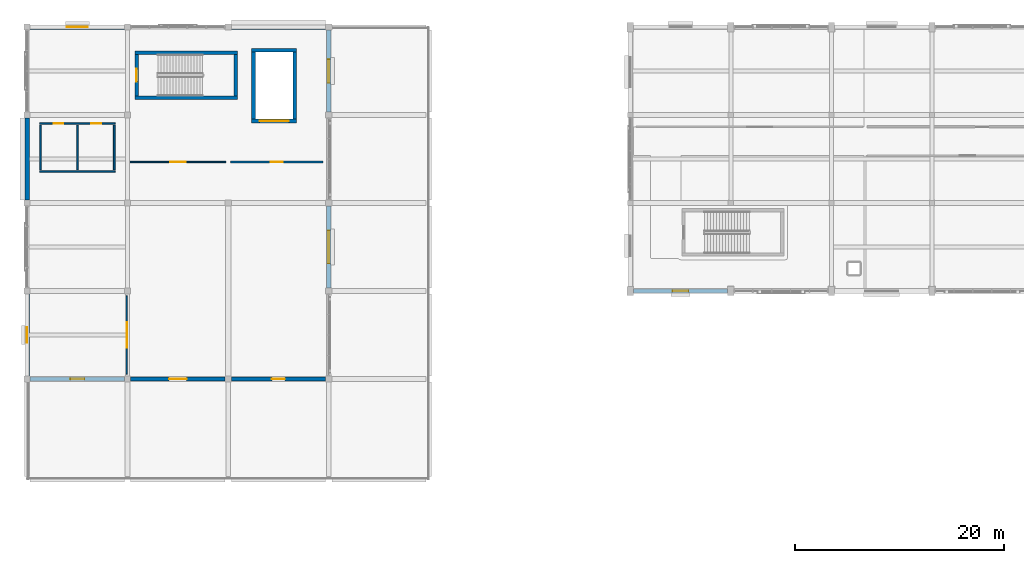
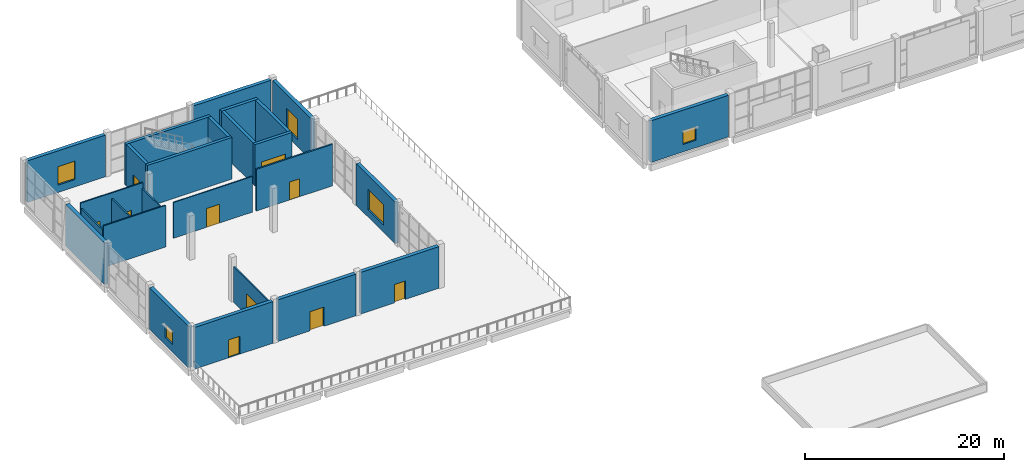
# One storey, part 47 of 72: 26 walls, 10 doors, 5 windows, 15 openings.
"""IFC4 building model written with IfcOpenShell, lengths in metres."""

from ifc_helpers import new_model, si_unit, direction, frame, frame_2d, origin, place, context, subcontext, project, spatial, rectangle, extrude, material, layer, layer_set, type_object, element, fill, save


model = new_model("IFC4")

# Units and contexts
model_context = context("Model", 3, precision=1e-05, world=origin(), true_north=direction((0.0, 1.0)))
body_context = subcontext(model_context, "Body", "Model", "MODEL_VIEW")
ifc_project = project(units=[si_unit("LENGTHUNIT", "METRE"), si_unit("AREAUNIT", "SQUARE_METRE"), si_unit("VOLUMEUNIT", "CUBIC_METRE"), si_unit("PLANEANGLEUNIT", "RADIAN"), si_unit("MASSUNIT", "GRAM", prefix="KILO")], contexts=[model_context])

# Site, building, storey
site_placement = place(None, origin())
site = spatial("IfcSite", under=ifc_project, at=site_placement, CompositionType="ELEMENT")
building_placement = place(site_placement, origin())
building = spatial("IfcBuilding", under=site, at=building_placement, Name="Shalvenor Court Art Gallery", CompositionType="ELEMENT")
storey_placement = place(building_placement, frame((0.0, 0.0, 11.39990234375)))
storey = spatial("IfcBuildingStorey", under=building, at=storey_placement, Name="L02", CompositionType="ELEMENT", Elevation=11.39990234375)

# Walls
ifc_material_1 = material(Name="Concrete C40/50", Category="concrete")
ifc_layer_1 = layer(ifc_material_1, 0.35009765625, Name="Concrete C40/50")
ifc_layer_set_1 = layer_set([ifc_layer_1], Name="Concrete C40/50")
wall_type_1 = type_object("IfcWallType", Name="CW-W1", PredefinedType="SHEAR", material=ifc_layer_set_1)
wall_1_placement = place(storey_placement, frame((10.2880859375, 119.93701171875, 0.0), z_axis=(0.0, 0.0, 1.0), x_axis=(1.0, 0.0, 0.0)))
element("IfcWall", 1, at=wall_1_placement, inside=storey, type_object=wall_type_1, Name="L02 C6 Stair Core Shear Wall N", PredefinedType="SHEAR", context=body_context, shape_type="SweptSolid", body=[
    extrude(rectangle(XDim=9.823974609375, YDim=0.35009765625, at=frame_2d((4.912109375, 0.0))), origin(), (0.0, 0.0, 1.0), 5.10009765625),
])
wall_2_placement = place(storey_placement, frame((19.93701171875, 119.761962890625, 0.0), z_axis=(0.0, 0.0, 1.0), x_axis=(0.0, -1.0, 0.0)))
element("IfcWall", 2, at=wall_2_placement, inside=storey, type_object=wall_type_1, Name="L02 C6 Stair Core Shear Wall E", PredefinedType="SHEAR", context=body_context, shape_type="SweptSolid", body=[
    extrude(rectangle(XDim=3.924072265625, YDim=0.35009765625, at=frame_2d((1.9619140625, 0.0))), origin(), (0.0, 0.0, 1.0), 5.10009765625),
])
wall_3_placement = place(storey_placement, frame((20.112060546875, 115.6630859375, 0.0), z_axis=(0.0, 0.0, 1.0), x_axis=(-1.0, 0.0, 0.0)))
element("IfcWall", 3, at=wall_3_placement, inside=storey, type_object=wall_type_1, Name="L02 C6 Stair Core Shear Wall S", PredefinedType="SHEAR", context=body_context, shape_type="SweptSolid", body=[
    extrude(rectangle(XDim=9.823974609375, YDim=0.35009765625, at=frame_2d((4.912109375, 0.0))), origin(), (0.0, 0.0, 1.0), 5.10009765625),
])

# Wall, opening, door
wall_4_placement = place(storey_placement, frame((10.462890625, 115.837890625, 0.0), z_axis=(0.0, 0.0, 1.0), x_axis=(0.0, 1.0, 0.0)))
wall_4 = element("IfcWall", 4, at=wall_4_placement, inside=storey, type_object=wall_type_1, Name="L02 C6 Stair Core Shear Wall W", PredefinedType="SHEAR", context=body_context, shape_type="SweptSolid", body=[
    extrude(rectangle(XDim=3.924072265625, YDim=0.35009765625, at=frame_2d((1.9619140625, 0.0))), origin(), (0.0, 0.0, 1.0), 5.10009765625),
])
opening_1_placement = place(wall_4_placement, frame((1.362060546875, 0.0, 0.0)))
opening_1 = element("IfcOpeningElement", 5, at=opening_1_placement, cuts=wall_4, Name="Opening FD-01", PredefinedType="OPENING", context=body_context, shape_type="SweptSolid", body=[
    extrude(rectangle(XDim=1.199951171875, YDim=2.199951171875, at=frame_2d((0.60009765625, 1.10009765625))), frame((0.0, 0.18505859375, 0.0), z_axis=(0.0, -1.0, 0.0), x_axis=(1.0, 0.0, 0.0)), (0.0, 0.0, 1.0), 0.3701171875),
])
ifc_material_2 = material(Name="Fire-rated steel stair doorset", Category="steel")
door_type_1 = type_object("IfcDoorType", Name="FD-01", OperationType="NOTDEFINED", PredefinedType="DOOR", material=ifc_material_2)
door_1_placement = place(opening_1_placement, origin())
door_1 = element("IfcDoor", 6, at=door_1_placement, inside=storey, type_object=door_type_1, Name="DR-ST-L02-C6 L02 ST-06 Fire Stair Door", OperationType="SINGLE_SWING_RIGHT", OverallHeight=2.199951171875, OverallWidth=1.199951171875, PredefinedType="DOOR", context=body_context, shape_type="SweptSolid", body=[
    extrude(rectangle(XDim=1.199951171875, YDim=2.199951171875, at=frame_2d((0.60009765625, 1.10009765625))), frame((0.0, 0.02490234375, 0.0), z_axis=(0.0, -1.0, 0.0), x_axis=(1.0, 0.0, 0.0)), (0.0, 0.0, 1.0), 0.050048828125),
])
fill(opening_1, door_1)

# Walls
wall_5_placement = place(storey_placement, frame((21.449951171875, 120.175048828125, 0.0), z_axis=(0.0, 0.0, 1.0), x_axis=(1.0, 0.0, 0.0)))
element("IfcWall", 7, at=wall_5_placement, inside=storey, type_object=wall_type_1, Name="L02 GL-01 Lift Shaft Wall N", PredefinedType="SHEAR", context=body_context, shape_type="SweptSolid", body=[
    extrude(rectangle(XDim=4.300048828125, YDim=0.35009765625, at=frame_2d((2.14990234375, 0.0))), origin(), (0.0, 0.0, 1.0), 5.10009765625),
])
wall_6_placement = place(storey_placement, frame((25.574951171875, 120.0, 0.0), z_axis=(0.0, 0.0, 1.0), x_axis=(0.0, -1.0, 0.0)))
element("IfcWall", 8, at=wall_6_placement, inside=storey, type_object=wall_type_1, Name="L02 GL-01 Lift Shaft Wall E", PredefinedType="SHEAR", context=body_context, shape_type="SweptSolid", body=[
    extrude(rectangle(XDim=6.39990234375, YDim=0.35009765625, at=frame_2d((3.199951171875, 0.0))), origin(), (0.0, 0.0, 1.0), 5.10009765625),
])

# Wall, opening, door
wall_7_placement = place(storey_placement, frame((25.75, 113.425048828125, 0.0), z_axis=(0.0, 0.0, 1.0), x_axis=(-1.0, 0.0, 0.0)))
wall_7 = element("IfcWall", 9, at=wall_7_placement, inside=storey, type_object=wall_type_1, Name="L02 GL-01 Lift Shaft Wall S", PredefinedType="SHEAR", context=body_context, shape_type="SweptSolid", body=[
    extrude(rectangle(XDim=4.300048828125, YDim=0.35009765625, at=frame_2d((2.14990234375, 0.0))), origin(), (0.0, 0.0, 1.0), 5.10009765625),
])
opening_2_placement = place(wall_7_placement, frame((0.75, 0.0, 0.0)))
opening_2 = element("IfcOpeningElement", 10, at=opening_2_placement, cuts=wall_7, Name="Opening LD-03", PredefinedType="OPENING", context=body_context, shape_type="SweptSolid", body=[
    extrude(rectangle(XDim=2.800048828125, YDim=2.699951171875, at=frame_2d((1.39990234375, 1.35009765625))), frame((0.0, 0.18505859375, 0.0), z_axis=(0.0, -1.0, 0.0), x_axis=(1.0, 0.0, 0.0)), (0.0, 0.0, 1.0), 0.3701171875),
])
ifc_material_3 = material(Name="Heavy-duty clean-art freight lift sliding landing door", Category="steel")
door_type_2 = type_object("IfcDoorType", Name="LD-03", OperationType="NOTDEFINED", PredefinedType="DOOR", material=ifc_material_3)
door_2_placement = place(opening_2_placement, origin())
door_2 = element("IfcDoor", 11, at=door_2_placement, inside=storey, type_object=door_type_2, Name="DR-LD-L02-GL-01 L02 GL-01 Lift Landing Sliding Door", OperationType="DOUBLE_DOOR_SLIDING", OverallHeight=2.699951171875, OverallWidth=2.800048828125, PredefinedType="DOOR", context=body_context, shape_type="SweptSolid", body=[
    extrude(rectangle(XDim=2.800048828125, YDim=2.699951171875, at=frame_2d((1.39990234375, 1.35009765625))), frame((0.0, 0.02490234375, 0.0), z_axis=(0.0, -1.0, 0.0), x_axis=(1.0, 0.0, 0.0)), (0.0, 0.0, 1.0), 0.050048828125),
])
fill(opening_2, door_2)

# Wall
wall_8_placement = place(storey_placement, frame((21.625, 113.60009765625, 0.0), z_axis=(0.0, 0.0, 1.0), x_axis=(0.0, 1.0, 0.0)))
element("IfcWall", 12, at=wall_8_placement, inside=storey, type_object=wall_type_1, Name="L02 GL-01 Lift Shaft Wall W", PredefinedType="SHEAR", context=body_context, shape_type="SweptSolid", body=[
    extrude(rectangle(XDim=6.39990234375, YDim=0.35009765625, at=frame_2d((3.199951171875, 0.0))), origin(), (0.0, 0.0, 1.0), 5.10009765625),
])

# Wall, opening, window
ifc_material_4 = material(Name="Concrete C40/50", Category="concrete")
ifc_layer_2 = layer(ifc_material_4, 0.419921875, Name="Concrete C40/50")
ifc_layer_set_2 = layer_set([ifc_layer_2], Name="Concrete C40/50")
wall_type_2 = type_object("IfcWallType", Name="EW-02", PredefinedType="SOLIDWALL", material=ifc_layer_set_2)
wall_9_placement = place(storey_placement, frame((66.89990234375, 97.199951171875, 0.0), z_axis=(0.0, 0.0, 1.0), x_axis=(-1.0, 0.0, 0.0)))
wall_9 = element("IfcWall", 13, at=wall_9_placement, inside=storey, type_object=wall_type_2, Name="L02 V2 Exterior Wall WL-L02-0151", PredefinedType="SOLIDWALL", context=body_context, shape_type="SweptSolid", body=[
    extrude(rectangle(XDim=9.0, YDim=0.419921875, at=frame_2d((4.5, 0.0))), origin(), (0.0, 0.0, 1.0), 5.10009765625),
])
opening_3_placement = place(wall_9_placement, frame((3.75, 0.0, 0.89990234375)))
opening_3 = element("IfcOpeningElement", 14, at=opening_3_placement, cuts=wall_9, Name="Opening WN-19", PredefinedType="OPENING", context=body_context, shape_type="SweptSolid", body=[
    extrude(rectangle(XDim=1.5, YDim=1.64990234375, at=frame_2d((0.75, 0.824951171875))), frame((0.0, 0.219970703125, 0.0), z_axis=(0.0, -1.0, 0.0), x_axis=(1.0, 0.0, 0.0)), (0.0, 0.0, 1.0), 0.43994140625),
])
ifc_material_5 = material(Name="Acoustic laminated studio IGU", Category="glass")
window_type_1 = type_object("IfcWindowType", Name="WN-19", PartitioningType="SINGLE_PANEL", PredefinedType="WINDOW", material=ifc_material_5)
window_1_placement = place(opening_3_placement, origin())
window_1 = element("IfcWindow", 15, at=window_1_placement, inside=storey, type_object=window_type_1, Name="L02 Window WIN-L02-0041", OverallHeight=1.64990234375, OverallWidth=1.5, PartitioningType="SINGLE_PANEL", PredefinedType="WINDOW", context=body_context, shape_type="SweptSolid", body=[
    extrude(rectangle(XDim=1.5, YDim=1.64990234375, at=frame_2d((0.75, 0.824951171875))), frame((0.0, 0.030029296875, 0.0), z_axis=(0.0, -1.0, 0.0), x_axis=(1.0, 0.0, 0.0)), (0.0, 0.0, 1.0), 0.06005859375),
])
fill(opening_3, window_1)

wall_10_placement = place(storey_placement, frame((0.300048828125, 122.39990234375, 0.0), z_axis=(0.0, 0.0, 1.0), x_axis=(1.0, 0.0, 0.0)))
wall_10 = element("IfcWall", 16, at=wall_10_placement, inside=storey, type_object=wall_type_2, Name="L02 V5 Exterior Wall WL-L02-0305", PredefinedType="SOLIDWALL", context=body_context, shape_type="SweptSolid", body=[
    extrude(rectangle(XDim=9.0, YDim=0.419921875, at=frame_2d((4.5, 0.0))), origin(), (0.0, 0.0, 1.0), 5.10009765625),
])
opening_4_placement = place(wall_10_placement, frame((3.5, 0.0, 0.89990234375)))
opening_4 = element("IfcOpeningElement", 17, at=opening_4_placement, cuts=wall_10, Name="Opening WN-16", PredefinedType="OPENING", context=body_context, shape_type="SweptSolid", body=[
    extrude(rectangle(XDim=2.0, YDim=2.25, at=frame_2d((1.0, 1.125))), frame((0.0, 0.219970703125, 0.0), z_axis=(0.0, -1.0, 0.0), x_axis=(1.0, 0.0, 0.0)), (0.0, 0.0, 1.0), 0.43994140625),
])
ifc_material_6 = material(Name="Low-iron solar-control double IGU", Category="glass")
window_type_2 = type_object("IfcWindowType", Name="WN-16", PartitioningType="SINGLE_PANEL", PredefinedType="WINDOW", material=ifc_material_6)
window_2_placement = place(opening_4_placement, origin())
window_2 = element("IfcWindow", 18, at=window_2_placement, inside=storey, type_object=window_type_2, Name="L02 Window WIN-L02-0060", OverallHeight=2.25, OverallWidth=2.0, PartitioningType="SINGLE_PANEL", PredefinedType="WINDOW", context=body_context, shape_type="SweptSolid", body=[
    extrude(rectangle(XDim=2.0, YDim=2.25, at=frame_2d((1.0, 1.125))), frame((0.0, 0.030029296875, 0.0), z_axis=(0.0, -1.0, 0.0), x_axis=(1.0, 0.0, 0.0)), (0.0, 0.0, 1.0), 0.06005859375),
])
fill(opening_4, window_2)

# Wall
wall_11_placement = place(storey_placement, frame((19.5, 122.39990234375, 0.0), z_axis=(0.0, 0.0, 1.0), x_axis=(1.0, 0.0, 0.0)))
element("IfcWall", 19, at=wall_11_placement, inside=storey, type_object=wall_type_2, Name="L02 V5 Exterior Wall WL-L02-0306", PredefinedType="SOLIDWALL", context=body_context, shape_type="SweptSolid", body=[
    extrude(rectangle(XDim=9.0, YDim=0.419921875, at=frame_2d((4.5, 0.0))), origin(), (0.0, 0.0, 1.0), 5.10009765625),
])

# Wall, opening, window
wall_12_placement = place(storey_placement, frame((28.800048828125, 122.10009765625, 0.0), z_axis=(0.0, 0.0, 1.0), x_axis=(0.0, -1.0, 0.0)))
wall_12 = element("IfcWall", 20, at=wall_12_placement, inside=storey, type_object=wall_type_2, Name="L02 V5 Exterior Wall WL-L02-0307", PredefinedType="SOLIDWALL", context=body_context, shape_type="SweptSolid", body=[
    extrude(rectangle(XDim=7.800048828125, YDim=0.419921875, at=frame_2d((3.89990234375, 0.0))), origin(), (0.0, 0.0, 1.0), 5.10009765625),
])
opening_5_placement = place(wall_12_placement, frame((2.77490234375, 0.0, 0.89990234375)))
opening_5 = element("IfcOpeningElement", 21, at=opening_5_placement, cuts=wall_12, Name="Opening WN-17", PredefinedType="OPENING", context=body_context, shape_type="SweptSolid", body=[
    extrude(rectangle(XDim=2.25, YDim=2.5, at=frame_2d((1.125, 1.25))), frame((0.0, 0.219970703125, 0.0), z_axis=(0.0, -1.0, 0.0), x_axis=(1.0, 0.0, 0.0)), (0.0, 0.0, 1.0), 0.43994140625),
])
ifc_material_7 = material(Name="North-light conservation clear IGU", Category="glass")
window_type_3 = type_object("IfcWindowType", Name="WN-17", PartitioningType="SINGLE_PANEL", PredefinedType="WINDOW", material=ifc_material_7)
window_3_placement = place(opening_5_placement, origin())
window_3 = element("IfcWindow", 22, at=window_3_placement, inside=storey, type_object=window_type_3, Name="L02 Window WIN-L02-0061", OverallHeight=2.5, OverallWidth=2.25, PartitioningType="SINGLE_PANEL", PredefinedType="WINDOW", context=body_context, shape_type="SweptSolid", body=[
    extrude(rectangle(XDim=2.25, YDim=2.5, at=frame_2d((1.125, 1.25))), frame((0.0, 0.030029296875, 0.0), z_axis=(0.0, -1.0, 0.0), x_axis=(1.0, 0.0, 0.0)), (0.0, 0.0, 1.0), 0.06005859375),
])
fill(opening_5, window_3)

wall_13_placement = place(storey_placement, frame((28.800048828125, 105.300048828125, 0.0), z_axis=(0.0, 0.0, 1.0), x_axis=(0.0, -1.0, 0.0)))
wall_13 = element("IfcWall", 23, at=wall_13_placement, inside=storey, type_object=wall_type_2, Name="L02 V5 Exterior Wall WL-L02-0308", PredefinedType="SOLIDWALL", context=body_context, shape_type="SweptSolid", body=[
    extrude(rectangle(XDim=7.800048828125, YDim=0.419921875, at=frame_2d((3.89990234375, 0.0))), origin(), (0.0, 0.0, 1.0), 5.10009765625),
])
opening_6_placement = place(wall_13_placement, frame((2.324951171875, 0.0, 0.89990234375)))
opening_6 = element("IfcOpeningElement", 24, at=opening_6_placement, cuts=wall_13, Name="Opening WN-18", PredefinedType="OPENING", context=body_context, shape_type="SweptSolid", body=[
    extrude(rectangle(XDim=3.14990234375, YDim=2.5, at=frame_2d((1.574951171875, 1.25))), frame((0.0, 0.219970703125, 0.0), z_axis=(0.0, -1.0, 0.0), x_axis=(1.0, 0.0, 0.0)), (0.0, 0.0, 1.0), 0.43994140625),
])
ifc_material_8 = material(Name="North-light conservation clear IGU", Category="glass")
window_type_4 = type_object("IfcWindowType", Name="WN-18", PartitioningType="SINGLE_PANEL", PredefinedType="WINDOW", material=ifc_material_8)
window_4_placement = place(opening_6_placement, origin())
window_4 = element("IfcWindow", 25, at=window_4_placement, inside=storey, type_object=window_type_4, Name="L02 Window WIN-L02-0062", OverallHeight=2.5, OverallWidth=3.14990234375, PartitioningType="SINGLE_PANEL", PredefinedType="WINDOW", context=body_context, shape_type="SweptSolid", body=[
    extrude(rectangle(XDim=3.14990234375, YDim=2.5, at=frame_2d((1.574951171875, 1.25))), frame((0.0, 0.030029296875, 0.0), z_axis=(0.0, -1.0, 0.0), x_axis=(1.0, 0.0, 0.0)), (0.0, 0.0, 1.0), 0.06005859375),
])
fill(opening_6, window_4)

# Wall, opening, door
wall_14_placement = place(storey_placement, frame((28.5, 88.800048828125, 0.0), z_axis=(0.0, 0.0, 1.0), x_axis=(-1.0, 0.0, 0.0)))
wall_14 = element("IfcWall", 26, at=wall_14_placement, inside=storey, type_object=wall_type_2, Name="L02 V5 Exterior Wall WL-L02-0309", PredefinedType="SOLIDWALL", context=body_context, shape_type="SweptSolid", body=[
    extrude(rectangle(XDim=9.0, YDim=0.419921875, at=frame_2d((4.5, 0.0))), origin(), (0.0, 0.0, 1.0), 5.10009765625),
])
opening_7_placement = place(wall_14_placement, frame((3.875, 0.0, 0.0)))
opening_7 = element("IfcOpeningElement", 27, at=opening_7_placement, cuts=wall_14, Name="Opening TD-04", PredefinedType="OPENING", context=body_context, shape_type="SweptSolid", body=[
    extrude(rectangle(XDim=1.25, YDim=2.25, at=frame_2d((0.625, 1.125))), frame((0.0, 0.219970703125, 0.0), z_axis=(0.0, -1.0, 0.0), x_axis=(1.0, 0.0, 0.0)), (0.0, 0.0, 1.0), 0.43994140625),
])
ifc_material_9 = material(Name="Anodised aluminium glazed terrace door", Category="aluminium")
door_type_3 = type_object("IfcDoorType", Name="TD-04", OperationType="NOTDEFINED", PredefinedType="DOOR", material=ifc_material_9)
door_3_placement = place(opening_7_placement, origin())
door_3 = element("IfcDoor", 28, at=door_3_placement, inside=storey, type_object=door_type_3, Name="DR-TR-052 L02 Gallery Terrace Door", OperationType="SINGLE_SWING_RIGHT", OverallHeight=2.25, OverallWidth=1.25, PredefinedType="DOOR", context=body_context, shape_type="SweptSolid", body=[
    extrude(rectangle(XDim=1.25, YDim=2.25, at=frame_2d((0.625, 1.125))), frame((0.0, 0.02490234375, 0.0), z_axis=(0.0, -1.0, 0.0), x_axis=(1.0, 0.0, 0.0)), (0.0, 0.0, 1.0), 0.050048828125),
])
fill(opening_7, door_3)

wall_15_placement = place(storey_placement, frame((18.89990234375, 88.800048828125, 0.0), z_axis=(0.0, 0.0, 1.0), x_axis=(-1.0, 0.0, 0.0)))
wall_15 = element("IfcWall", 29, at=wall_15_placement, inside=storey, type_object=wall_type_2, Name="L02 V5 Exterior Wall WL-L02-0310", PredefinedType="SOLIDWALL", context=body_context, shape_type="SweptSolid", body=[
    extrude(rectangle(XDim=9.0, YDim=0.419921875, at=frame_2d((4.5, 0.0))), origin(), (0.0, 0.0, 1.0), 5.10009765625),
])
opening_8_placement = place(wall_15_placement, frame((3.675048828125, 0.0, 0.0)))
opening_8 = element("IfcOpeningElement", 30, at=opening_8_placement, cuts=wall_15, Name="Opening TD-05", PredefinedType="OPENING", context=body_context, shape_type="SweptSolid", body=[
    extrude(rectangle(XDim=1.64990234375, YDim=2.35009765625, at=frame_2d((0.824951171875, 1.175048828125))), frame((0.0, 0.219970703125, 0.0), z_axis=(0.0, -1.0, 0.0), x_axis=(1.0, 0.0, 0.0)), (0.0, 0.0, 1.0), 0.43994140625),
])
ifc_material_10 = material(Name="Anodised aluminium glazed terrace door", Category="aluminium")
door_type_4 = type_object("IfcDoorType", Name="TD-05", OperationType="NOTDEFINED", PredefinedType="DOOR", material=ifc_material_10)
door_4_placement = place(opening_8_placement, origin())
door_4 = element("IfcDoor", 31, at=door_4_placement, inside=storey, type_object=door_type_4, Name="DR-TR-053 L02 Gallery Terrace Door", OperationType="DOUBLE_DOOR_SINGLE_SWING", OverallHeight=2.35009765625, OverallWidth=1.64990234375, PredefinedType="DOOR", context=body_context, shape_type="SweptSolid", body=[
    extrude(rectangle(XDim=1.64990234375, YDim=2.35009765625, at=frame_2d((0.824951171875, 1.175048828125))), frame((0.0, 0.02490234375, 0.0), z_axis=(0.0, -1.0, 0.0), x_axis=(1.0, 0.0, 0.0)), (0.0, 0.0, 1.0), 0.050048828125),
])
fill(opening_8, door_4)

wall_16_placement = place(storey_placement, frame((9.300048828125, 88.800048828125, 0.0), z_axis=(0.0, 0.0, 1.0), x_axis=(-1.0, 0.0, 0.0)))
wall_16 = element("IfcWall", 32, at=wall_16_placement, inside=storey, type_object=wall_type_2, Name="L02 V5 Exterior Wall WL-L02-0311", PredefinedType="SOLIDWALL", context=body_context, shape_type="SweptSolid", body=[
    extrude(rectangle(XDim=9.0, YDim=0.419921875, at=frame_2d((4.5, 0.0))), origin(), (0.0, 0.0, 1.0), 5.10009765625),
])
opening_9_placement = place(wall_16_placement, frame((3.824951171875, 0.0, 0.0)))
opening_9 = element("IfcOpeningElement", 33, at=opening_9_placement, cuts=wall_16, Name="Opening TD-06", PredefinedType="OPENING", context=body_context, shape_type="SweptSolid", body=[
    extrude(rectangle(XDim=1.35009765625, YDim=2.199951171875, at=frame_2d((0.675048828125, 1.10009765625))), frame((0.0, 0.219970703125, 0.0), z_axis=(0.0, -1.0, 0.0), x_axis=(1.0, 0.0, 0.0)), (0.0, 0.0, 1.0), 0.43994140625),
])
ifc_material_11 = material(Name="Anodised aluminium glazed terrace door", Category="aluminium")
door_type_5 = type_object("IfcDoorType", Name="TD-06", OperationType="NOTDEFINED", PredefinedType="DOOR", material=ifc_material_11)
door_5_placement = place(opening_9_placement, origin())
door_5 = element("IfcDoor", 34, at=door_5_placement, inside=storey, type_object=door_type_5, Name="DR-TR-054 L02 Gallery Terrace Door", OperationType="SINGLE_SWING_LEFT", OverallHeight=2.199951171875, OverallWidth=1.35009765625, PredefinedType="DOOR", context=body_context, shape_type="SweptSolid", body=[
    extrude(rectangle(XDim=1.35009765625, YDim=2.199951171875, at=frame_2d((0.675048828125, 1.10009765625))), frame((0.0, 0.02490234375, 0.0), z_axis=(0.0, -1.0, 0.0), x_axis=(1.0, 0.0, 0.0)), (0.0, 0.0, 1.0), 0.050048828125),
])
fill(opening_9, door_5)

# Wall, opening, window
wall_17_placement = place(storey_placement, frame((0.0, 89.10009765625, 0.0), z_axis=(0.0, 0.0, 1.0), x_axis=(0.0, 1.0, 0.0)))
wall_17 = element("IfcWall", 35, at=wall_17_placement, inside=storey, type_object=wall_type_2, Name="L02 V5 Exterior Wall WL-L02-0312", PredefinedType="SOLIDWALL", context=body_context, shape_type="SweptSolid", body=[
    extrude(rectangle(XDim=7.7998046875, YDim=0.419921875, at=frame_2d((3.89990234375, 0.0))), origin(), (0.0, 0.0, 1.0), 5.10009765625),
])
opening_10_placement = place(wall_17_placement, frame((3.14990234375, 0.0, 0.89990234375)))
opening_10 = element("IfcOpeningElement", 36, at=opening_10_placement, cuts=wall_17, Name="Opening WN-19", PredefinedType="OPENING", context=body_context, shape_type="SweptSolid", body=[
    extrude(rectangle(XDim=1.5, YDim=1.64990234375, at=frame_2d((0.75, 0.824951171875))), frame((0.0, 0.219970703125, 0.0), z_axis=(0.0, -1.0, 0.0), x_axis=(1.0, 0.0, 0.0)), (0.0, 0.0, 1.0), 0.43994140625),
])
window_5_placement = place(opening_10_placement, origin())
window_5 = element("IfcWindow", 37, at=window_5_placement, inside=storey, type_object=window_type_1, Name="L02 Window WIN-L02-0063", OverallHeight=1.64990234375, OverallWidth=1.5, PartitioningType="SINGLE_PANEL", PredefinedType="WINDOW", context=body_context, shape_type="SweptSolid", body=[
    extrude(rectangle(XDim=1.5, YDim=1.64990234375, at=frame_2d((0.75, 0.824951171875))), frame((0.0, 0.030029296875, 0.0), z_axis=(0.0, -1.0, 0.0), x_axis=(1.0, 0.0, 0.0)), (0.0, 0.0, 1.0), 0.06005859375),
])
fill(opening_10, window_5)

# Wall
wall_18_placement = place(storey_placement, frame((0.0, 105.89990234375, 0.0), z_axis=(0.0, 0.0, 1.0), x_axis=(0.0, 1.0, 0.0)))
element("IfcWall", 38, at=wall_18_placement, inside=storey, type_object=wall_type_2, Name="L02 V5 Exterior Wall WL-L02-0313", PredefinedType="SOLIDWALL", context=body_context, shape_type="SweptSolid", body=[
    extrude(rectangle(XDim=7.800048828125, YDim=0.419921875, at=frame_2d((3.89990234375, 0.0))), origin(), (0.0, 0.0, 1.0), 5.10009765625),
])

# Wall, opening, door
ifc_material_12 = material(Name="Plywood-backed acoustic art-hanging partition", Category="wood")
ifc_layer_3 = layer(ifc_material_12, 0.179931640625, Name="Plywood-backed acoustic art-hanging partition")
ifc_layer_set_3 = layer_set([ifc_layer_3], Name="Plywood-backed acoustic art-hanging partition")
wall_type_3 = type_object("IfcWallType", Name="PT-01", PredefinedType="PARTITIONING", material=ifc_layer_set_3)
wall_19_placement = place(storey_placement, frame((19.429931640625, 109.52001953125, 0.0), z_axis=(0.0, 0.0, 1.0), x_axis=(1.0, 0.0, 0.0)))
wall_19 = element("IfcWall", 39, at=wall_19_placement, inside=storey, type_object=wall_type_3, Name="L02 Residency Critique Salon Partition 653", PredefinedType="PARTITIONING", context=body_context, shape_type="SweptSolid", body=[
    extrude(rectangle(XDim=8.820068359375, YDim=0.179931640625, at=frame_2d((4.41015625, 0.0))), origin(), (0.0, 0.0, 1.0), 5.10009765625),
])
opening_11_placement = place(wall_19_placement, frame((3.8349609375, 0.0, 0.0)))
opening_11 = element("IfcOpeningElement", 40, at=opening_11_placement, cuts=wall_19, Name="Opening ID-10", PredefinedType="OPENING", context=body_context, shape_type="SweptSolid", body=[
    extrude(rectangle(XDim=1.14990234375, YDim=2.199951171875, at=frame_2d((0.574951171875, 1.10009765625))), frame((0.0, 0.099853515625, 0.0), z_axis=(0.0, -1.0, 0.0), x_axis=(1.0, 0.0, 0.0)), (0.0, 0.0, 1.0), 0.199951171875),
])
ifc_material_13 = material(Name="Acoustic conservation lab single doorset", Category="steel")
door_type_6 = type_object("IfcDoorType", Name="ID-10", OperationType="NOTDEFINED", PredefinedType="DOOR", material=ifc_material_13)
door_6_placement = place(opening_11_placement, origin())
door_6 = element("IfcDoor", 41, at=door_6_placement, inside=storey, type_object=door_type_6, Name="DR-RM-L02-0184 L02 Residency Critique Salon Door", OperationType="SINGLE_SWING_LEFT", OverallHeight=2.199951171875, OverallWidth=1.14990234375, PredefinedType="DOOR", context=body_context, shape_type="SweptSolid", body=[
    extrude(rectangle(XDim=1.14990234375, YDim=2.199951171875, at=frame_2d((0.574951171875, 1.10009765625))), frame((0.0, 0.02490234375, 0.0), z_axis=(0.0, -1.0, 0.0), x_axis=(1.0, 0.0, 0.0)), (0.0, 0.0, 1.0), 0.050048828125),
])
fill(opening_11, door_6)

# Wall, openings, doors
ifc_material_14 = material(Name="Moisture-resistant sanitary partition", Category="other")
ifc_layer_4 = layer(ifc_material_14, 0.14990234375, Name="Moisture-resistant sanitary partition")
ifc_layer_set_4 = layer_set([ifc_layer_4], Name="Moisture-resistant sanitary partition")
wall_type_4 = type_object("IfcWallType", Name="PT-03", PredefinedType="PARTITIONING", material=ifc_layer_set_4)
wall_20_placement = place(storey_placement, frame((1.199951171875, 113.199951171875, 0.0), z_axis=(0.0, 0.0, 1.0), x_axis=(1.0, 0.0, 0.0)))
wall_20 = element("IfcWall", 42, at=wall_20_placement, inside=storey, type_object=wall_type_4, Name="L02 C6 Restroom Front Partition", PredefinedType="PARTITIONING", context=body_context, shape_type="SweptSolid", body=[
    extrude(rectangle(XDim=7.199951171875, YDim=0.14990234375, at=frame_2d((3.60009765625, 0.0))), origin(), (0.0, 0.0, 1.0), 5.10009765625),
])
opening_12_placement = place(wall_20_placement, frame((1.35009765625, 0.0, 0.0)))
opening_12 = element("IfcOpeningElement", 43, at=opening_12_placement, cuts=wall_20, Name="Opening ID-07", PredefinedType="OPENING", context=body_context, shape_type="SweptSolid", body=[
    extrude(rectangle(XDim=0.89990234375, YDim=2.10009765625, at=frame_2d((0.449951171875, 1.050048828125))), frame((0.0, 0.0849609375, 0.0), z_axis=(0.0, -1.0, 0.0), x_axis=(1.0, 0.0, 0.0)), (0.0, 0.0, 1.0), 0.169921875),
])
opening_13_placement = place(wall_20_placement, frame((4.925048828125, 0.0, 0.0)))
opening_13 = element("IfcOpeningElement", 44, at=opening_13_placement, cuts=wall_20, Name="Opening ID-06", PredefinedType="OPENING", context=body_context, shape_type="SweptSolid", body=[
    extrude(rectangle(XDim=0.949951171875, YDim=2.14990234375, at=frame_2d((0.47509765625, 1.074951171875))), frame((0.0, 0.0849609375, 0.0), z_axis=(0.0, -1.0, 0.0), x_axis=(1.0, 0.0, 0.0)), (0.0, 0.0, 1.0), 0.169921875),
])
ifc_material_15 = material(Name="Accessible restroom doorset", Category="steel")
door_type_7 = type_object("IfcDoorType", Name="ID-06", OperationType="NOTDEFINED", PredefinedType="DOOR", material=ifc_material_15)
door_7_placement = place(opening_13_placement, origin())
door_7 = element("IfcDoor", 45, at=door_7_placement, inside=storey, type_object=door_type_7, Name="DR-AWC-L02-C6-2 L02 C6 Accessible Restroom Door", OperationType="SINGLE_SWING_RIGHT", OverallHeight=2.14990234375, OverallWidth=0.949951171875, PredefinedType="DOOR", context=body_context, shape_type="SweptSolid", body=[
    extrude(rectangle(XDim=0.949951171875, YDim=2.14990234375, at=frame_2d((0.47509765625, 1.074951171875))), frame((0.0, 0.02490234375, 0.0), z_axis=(0.0, -1.0, 0.0), x_axis=(1.0, 0.0, 0.0)), (0.0, 0.0, 1.0), 0.050048828125),
])
fill(opening_13, door_7)
ifc_material_16 = material(Name="Restroom timber doorset", Category="wood")
door_type_8 = type_object("IfcDoorType", Name="ID-07", OperationType="NOTDEFINED", PredefinedType="DOOR", material=ifc_material_16)
door_8_placement = place(opening_12_placement, origin())
door_8 = element("IfcDoor", 46, at=door_8_placement, inside=storey, type_object=door_type_8, Name="DR-WC-L02-C6-1 L02 C6 Public Restroom Door", OperationType="SINGLE_SWING_LEFT", OverallHeight=2.10009765625, OverallWidth=0.89990234375, PredefinedType="DOOR", context=body_context, shape_type="SweptSolid", body=[
    extrude(rectangle(XDim=0.89990234375, YDim=2.10009765625, at=frame_2d((0.449951171875, 1.050048828125))), frame((0.0, 0.02490234375, 0.0), z_axis=(0.0, -1.0, 0.0), x_axis=(1.0, 0.0, 0.0)), (0.0, 0.0, 1.0), 0.050048828125),
])
fill(opening_12, door_8)

# Walls
wall_21_placement = place(storey_placement, frame((1.199951171875, 108.60009765625, 0.0), z_axis=(0.0, 0.0, 1.0), x_axis=(1.0, 0.0, 0.0)))
element("IfcWall", 47, at=wall_21_placement, inside=storey, type_object=wall_type_4, Name="L02 C6 Restroom Back Partition", PredefinedType="PARTITIONING", context=body_context, shape_type="SweptSolid", body=[
    extrude(rectangle(XDim=7.199951171875, YDim=0.14990234375, at=frame_2d((3.60009765625, 0.0))), origin(), (0.0, 0.0, 1.0), 5.10009765625),
])
for number, where, z_axis, x_axis, name in (
    (48, (1.27490234375, 108.760009765625, 0.0), (0.0, 0.0, 1.0), (0.0, 1.0, 0.0), "L02 C6 Restroom Partition L"),
    (49, (4.800048828125, 108.760009765625, 0.0), (0.0, 0.0, 1.0), (0.0, 1.0, 0.0), "L02 C6 Restroom Partition M"),
    (50, (8.324951171875, 108.760009765625, 0.0), (0.0, 0.0, 1.0), (0.0, 1.0, 0.0), "L02 C6 Restroom Partition R"),
):
    element("IfcWall", number, at=place(storey_placement, frame(where, z_axis=z_axis, x_axis=x_axis)), inside=storey, type_object=wall_type_4, Name=name, PredefinedType="PARTITIONING", context=body_context, shape_type="SweptSolid", body=[
        extrude(rectangle(XDim=4.280029296875, YDim=0.14990234375, at=frame_2d((2.14013671875, 0.0))), origin(), (0.0, 0.0, 1.0), 4.47509765625),
    ])

# Wall, opening, door
ifc_material_17 = material(Name="Insulated studio acoustic partition", Category="other")
ifc_layer_5 = layer(ifc_material_17, 0.135009765625, Name="Insulated studio acoustic partition")
ifc_layer_set_5 = layer_set([ifc_layer_5], Name="Insulated studio acoustic partition")
wall_type_5 = type_object("IfcWallType", Name="PT-04", PredefinedType="PARTITIONING", material=ifc_layer_set_5)
wall_22_placement = place(storey_placement, frame((9.52001953125, 96.72998046875, 0.0), z_axis=(0.0, 0.0, 1.0), x_axis=(0.0, -1.0, 0.0)))
wall_22 = element("IfcWall", 51, at=wall_22_placement, inside=storey, type_object=wall_type_5, Name="L02 Artists' Residency Studio Partition 651", PredefinedType="PARTITIONING", context=body_context, shape_type="SweptSolid", body=[
    extrude(rectangle(XDim=7.4599609375, YDim=0.135009765625, at=frame_2d((3.72998046875, 0.0))), origin(), (0.0, 0.0, 1.0), 4.375),
])
opening_14_placement = place(wall_22_placement, frame((2.530029296875, 0.0, 0.0)))
opening_14 = element("IfcOpeningElement", 52, at=opening_14_placement, cuts=wall_22, Name="Opening ID-08", PredefinedType="OPENING", context=body_context, shape_type="SweptSolid", body=[
    extrude(rectangle(XDim=2.39990234375, YDim=2.60009765625, at=frame_2d((1.199951171875, 1.300048828125))), frame((0.0, 0.077392578125, 0.0), z_axis=(0.0, -1.0, 0.0), x_axis=(1.0, 0.0, 0.0)), (0.0, 0.0, 1.0), 0.155029296875),
])
ifc_material_18 = material(Name="Oversized crate gallery portal double doorset", Category="steel")
door_type_9 = type_object("IfcDoorType", Name="ID-08", OperationType="NOTDEFINED", PredefinedType="DOOR", material=ifc_material_18)
door_9_placement = place(opening_14_placement, origin())
door_9 = element("IfcDoor", 53, at=door_9_placement, inside=storey, type_object=door_type_9, Name="DR-RM-L02-0182 L02 Artists' Residency Studio Door", OperationType="DOUBLE_DOOR_SINGLE_SWING", OverallHeight=2.60009765625, OverallWidth=2.39990234375, PredefinedType="DOOR", context=body_context, shape_type="SweptSolid", body=[
    extrude(rectangle(XDim=2.39990234375, YDim=2.60009765625, at=frame_2d((1.199951171875, 1.300048828125))), frame((0.0, 0.02490234375, 0.0), z_axis=(0.0, -1.0, 0.0), x_axis=(1.0, 0.0, 0.0)), (0.0, 0.0, 1.0), 0.050048828125),
])
fill(opening_14, door_9)

ifc_material_19 = material(Name="Lightweight office gypsum partition", Category="other")
ifc_layer_6 = layer(ifc_material_19, 0.1201171875, Name="Lightweight office gypsum partition")
ifc_layer_set_6 = layer_set([ifc_layer_6], Name="Lightweight office gypsum partition")
wall_type_6 = type_object("IfcWallType", Name="PT-05", PredefinedType="PARTITIONING", material=ifc_layer_set_6)
wall_23_placement = place(storey_placement, frame((9.830078125, 109.52001953125, 0.0), z_axis=(0.0, 0.0, 1.0), x_axis=(1.0, 0.0, 0.0)))
wall_23 = element("IfcWall", 54, at=wall_23_placement, inside=storey, type_object=wall_type_6, Name="L02 Sculpture Fabrication Studio Partition 652", PredefinedType="PARTITIONING", context=body_context, shape_type="SweptSolid", body=[
    extrude(rectangle(XDim=9.139892578125, YDim=0.1201171875, at=frame_2d((4.56982421875, 0.0))), origin(), (0.0, 0.0, 1.0), 4.375),
])
opening_15_placement = place(wall_23_placement, frame((3.820068359375, 0.0, 0.0)))
opening_15 = element("IfcOpeningElement", 55, at=opening_15_placement, cuts=wall_23, Name="Opening ID-09", PredefinedType="OPENING", context=body_context, shape_type="SweptSolid", body=[
    extrude(rectangle(XDim=1.5, YDim=2.300048828125, at=frame_2d((0.75, 1.14990234375))), frame((0.0, 0.070068359375, 0.0), z_axis=(0.0, -1.0, 0.0), x_axis=(1.0, 0.0, 0.0)), (0.0, 0.0, 1.0), 0.14013671875),
])
ifc_material_20 = material(Name="Oak-veneered seminar double doorset", Category="wood")
door_type_10 = type_object("IfcDoorType", Name="ID-09", OperationType="NOTDEFINED", PredefinedType="DOOR", material=ifc_material_20)
door_10_placement = place(opening_15_placement, origin())
door_10 = element("IfcDoor", 56, at=door_10_placement, inside=storey, type_object=door_type_10, Name="DR-RM-L02-0183 L02 Sculpture Fabrication Studio Door", OperationType="DOUBLE_DOOR_SINGLE_SWING", OverallHeight=2.300048828125, OverallWidth=1.5, PredefinedType="DOOR", context=body_context, shape_type="SweptSolid", body=[
    extrude(rectangle(XDim=1.5, YDim=2.300048828125, at=frame_2d((0.75, 1.14990234375))), frame((0.0, 0.02490234375, 0.0), z_axis=(0.0, -1.0, 0.0), x_axis=(1.0, 0.0, 0.0)), (0.0, 0.0, 1.0), 0.050048828125),
])
fill(opening_15, door_10)

save(model, "model.ifc")
